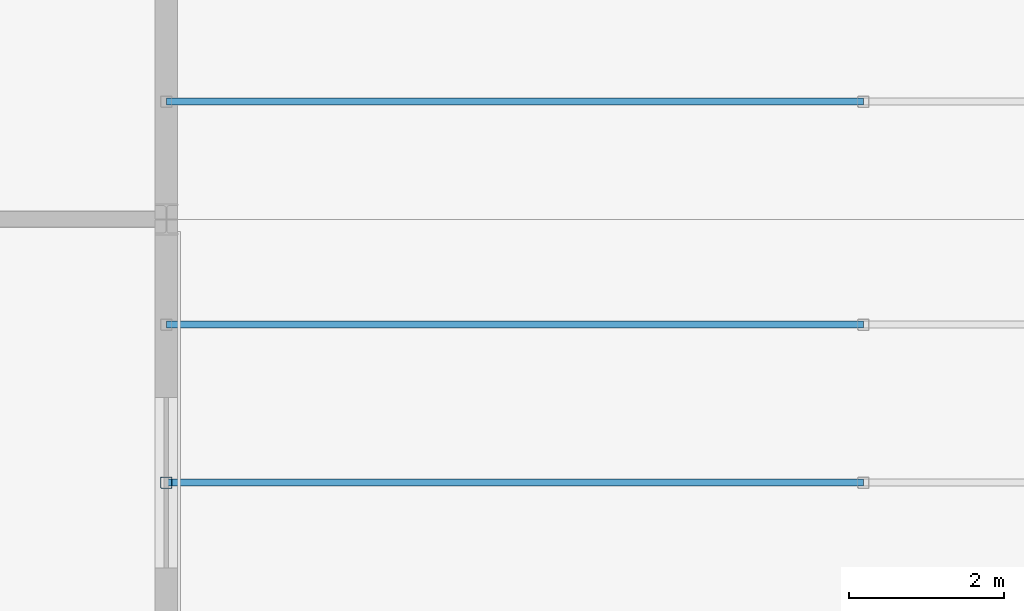
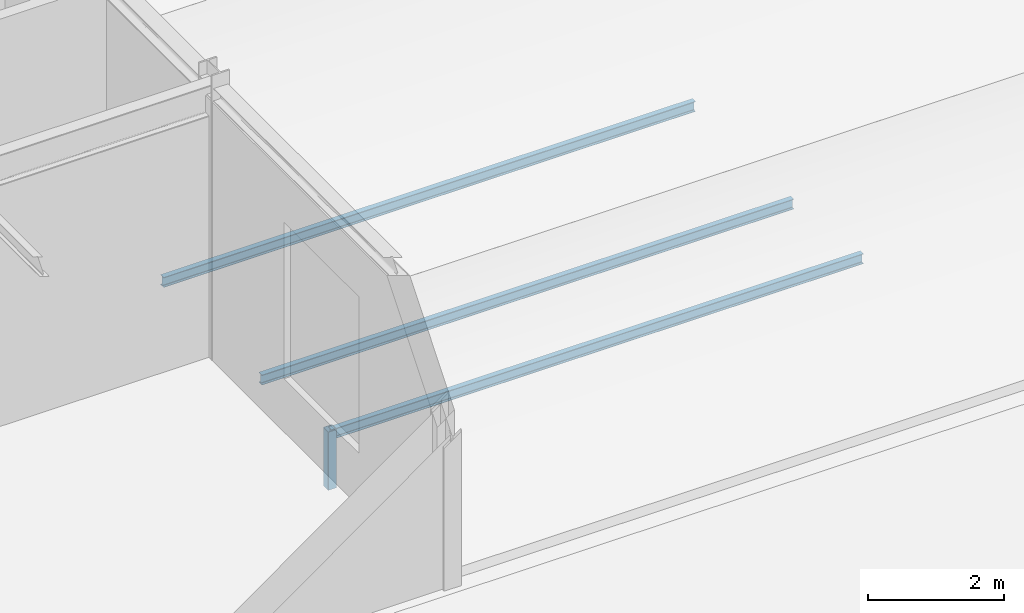
# One storey, part 54 of 113: 4 members.
"""IFC4 building model written with IfcOpenShell, lengths in metres."""

from ifc_helpers import new_model, si_unit, direction, frame, origin, origin_2d, place, context, subcontext, project, spatial, hollow_rectangle, i_section, extrude, material, material_profile, profile_set, type_object, element, save


model = new_model("IFC4")

# Units and contexts
model_context = context("Model", 3, precision=1e-05, world=origin(), true_north=direction((0.0, 1.0)))
body_context = subcontext(model_context, "Body", "Model", "MODEL_VIEW")
ifc_project = project(units=[si_unit("LENGTHUNIT", "METRE"), si_unit("AREAUNIT", "SQUARE_METRE"), si_unit("VOLUMEUNIT", "CUBIC_METRE"), si_unit("PLANEANGLEUNIT", "RADIAN"), si_unit("MASSUNIT", "GRAM", prefix="KILO")], contexts=[model_context])

# Site, building, storey
site_placement = place(None, origin())
site = spatial("IfcSite", under=ifc_project, at=site_placement, CompositionType="ELEMENT")
building_placement = place(site_placement, origin())
building = spatial("IfcBuilding", under=site, at=building_placement, Name="Shalkamar Park Central Library", CompositionType="ELEMENT")
storey_placement = place(building_placement, frame((0.0, 0.0, 5.39990234375)))
storey = spatial("IfcBuildingStorey", under=building, at=storey_placement, Name="L02", CompositionType="ELEMENT", Elevation=5.39990234375)

# Members
ifc_material = material(Name="Steel S355", Category="steel")
ifc_material_profile_1 = material_profile(ifc_material, hollow_rectangle(XDim=0.14990234375, YDim=0.14990234375, WallThickness=0.008056640625, InnerFilletRadius=0.008056640625, OuterFilletRadius=0.011962890625, at=origin_2d()), Name="SHS 150x150x8")
ifc_profile_set_1 = profile_set([ifc_material_profile_1], Name="Steel S355")
member_type_1 = type_object("IfcMemberType", Name="Diagonal Brace SHS150", PredefinedType="BRACE", material=ifc_profile_set_1)
member_placement = place(storey_placement, frame((273.0, 251.800048828125, -0.35986328125), z_axis=(0.0, 0.0, 1.0), x_axis=(1.0, 0.0, 0.0)))
element("IfcMember", 1, at=member_placement, inside=storey, type_object=member_type_1, Name="Vault Arch Post BV-L01-E1-20.2", PredefinedType="BRACE", context=body_context, shape_type="SweptSolid", body=[
    extrude(hollow_rectangle(XDim=0.14990234375, YDim=0.14990234375, WallThickness=0.008056640625, InnerFilletRadius=0.008056640625, OuterFilletRadius=0.011962890625, at=origin_2d()), origin(), (0.0, 0.0, 1.0), 1.0400390625),
])
ifc_material_profile_2 = material_profile(ifc_material, i_section(OverallWidth=0.091064453125, OverallDepth=0.179931640625, WebThickness=0.00537109375, FlangeThickness=0.008056640625, FilletRadius=0.009033203125, at=origin_2d()), Name="IPE 180")
ifc_profile_set_2 = profile_set([ifc_material_profile_2], Name="Steel S355")
member_type_2 = type_object("IfcMemberType", Name="Roof Purlin IPE180", PredefinedType="PURLIN", material=ifc_profile_set_2)
for number, where, z_axis, x_axis, name in (
    (2, (273.0, 251.800048828125, 0.590087890625), (1.0, 0.0, 0.0), (0.0, 1.0, 0.0), "Barrel Roof Purlin BV-L01-E1-2.20"),
    (3, (273.0, 253.840087890625, 0.330810546875), (1.0, 0.0, 0.0), (0.0, 1.0, 0.0), "Barrel Roof Purlin BV-L01-E1-3.20"),
    (4, (273.0, 256.719970703125, 0.330810546875), (1.0, 0.0, 0.0), (0.0, 1.0, 0.0), "Barrel Roof Purlin BV-L01-E2-1.20"),
):
    element("IfcMember", number, at=place(storey_placement, frame(where, z_axis=z_axis, x_axis=x_axis)), inside=storey, type_object=member_type_2, Name=name, PredefinedType="PURLIN", context=body_context, shape_type="SweptSolid", body=[
        extrude(i_section(OverallWidth=0.091064453125, OverallDepth=0.179931640625, WebThickness=0.00537109375, FlangeThickness=0.008056640625, FilletRadius=0.009033203125, at=origin_2d()), origin(), (0.0, 0.0, 1.0), 9.0),
    ])

save(model, "model.ifc")
